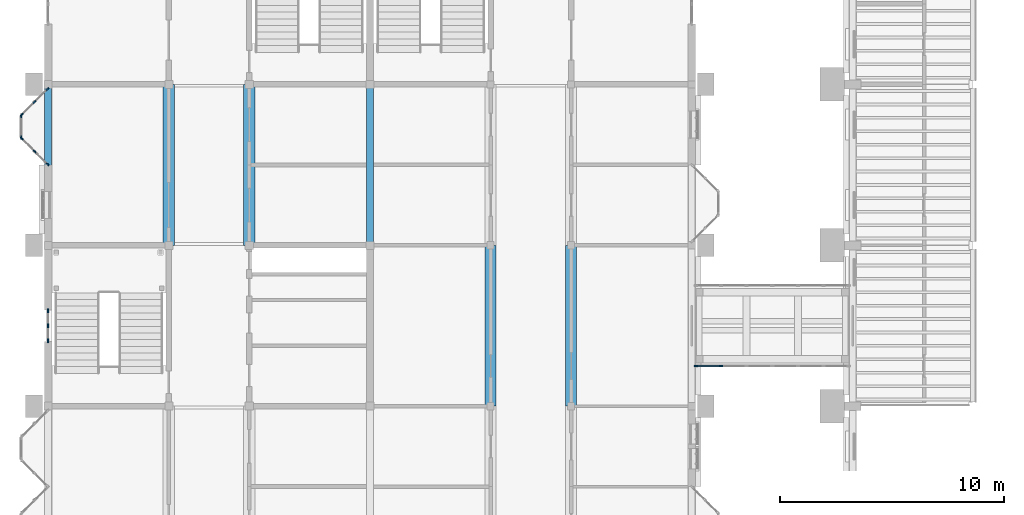
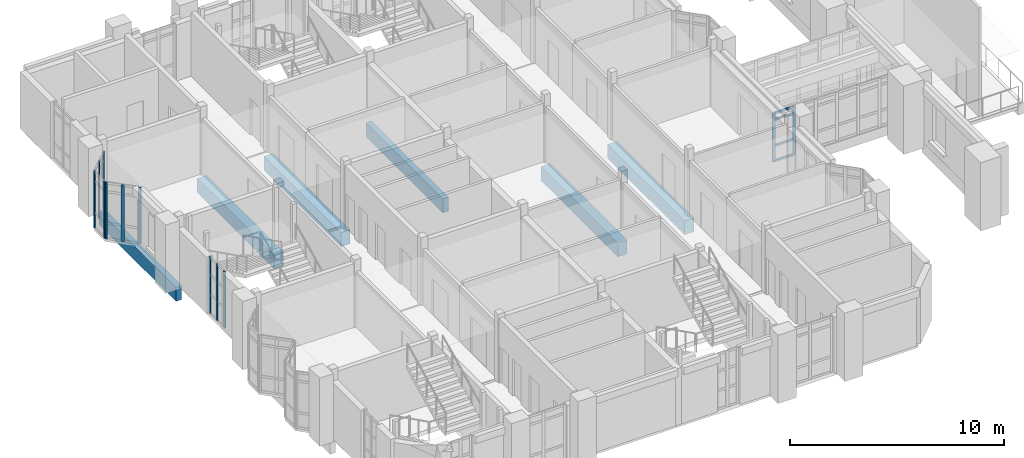
# One storey, part 5 of 69: 17 members, 6 beams, 5 elements without a shape of their own.
"""IFC4 building model written with IfcOpenShell, lengths in metres."""

from ifc_helpers import new_model, si_unit, direction, frame, origin, origin_2d, place, context, subcontext, project, spatial, rectangle, extrude, material, layer, layer_set, material_profile, profile_set, type_object, element, aggregate, save


model = new_model("IFC4")

# Units and contexts
model_context = context("Model", 3, precision=1e-05, world=origin(), true_north=direction((0.0, 1.0)))
body_context = subcontext(model_context, "Body", "Model", "MODEL_VIEW")
ifc_project = project(units=[si_unit("LENGTHUNIT", "METRE"), si_unit("AREAUNIT", "SQUARE_METRE"), si_unit("VOLUMEUNIT", "CUBIC_METRE"), si_unit("PLANEANGLEUNIT", "RADIAN"), si_unit("MASSUNIT", "GRAM", prefix="KILO")], contexts=[model_context])

# Site, building, storey
site_placement = place(None, origin())
site = spatial("IfcSite", under=ifc_project, at=site_placement, CompositionType="ELEMENT")
building_placement = place(site_placement, origin())
building = spatial("IfcBuilding", under=site, at=building_placement, Name="Mazhai Court Health Centre", CompositionType="ELEMENT")
storey_placement = place(building_placement, frame((0.0, 0.0, 6.300048828125)))
storey = spatial("IfcBuildingStorey", under=building, at=storey_placement, Name="L01", CompositionType="ELEMENT", Elevation=6.300048828125)

# Curtain wall, members
ifc_material_1 = material(Name="Teak timber frame, glazed", Category="wood")
ifc_layer_1 = layer(ifc_material_1, 0.10009765625)
ifc_layer_set_1 = layer_set([ifc_layer_1], Name="CURTAIN WALL TIMBER 600")
curtain_wall_type_1 = type_object("IfcCurtainWallType", Name="CURTAIN WALL TIMBER 600", PredefinedType="NOTDEFINED", material=ifc_layer_set_1)
curtain_wall_1_placement = place(storey_placement, origin())
curtain_wall_1 = element("IfcCurtainWall", 1, at=curtain_wall_1_placement, inside=storey, type_object=curtain_wall_type_1, Name="CW-V2-L01-A2", PredefinedType="NOTDEFINED")
ifc_material_2 = material(Name="Teak timber", Category="wood")
ifc_material_profile_1 = material_profile(ifc_material_2, rectangle(XDim=0.06005859375, YDim=0.159912109375, at=origin_2d()), Name="CW MULLION 60x160")
ifc_profile_set_1 = profile_set([ifc_material_profile_1], Name="Teak timber")
member_type_1 = type_object("IfcMemberType", Name="CW MULLION 60x160", PredefinedType="MULLION", material=ifc_profile_set_1)
member_1_placement = place(storey_placement, frame((6.199951171875, 23.530029296875, 0.0), z_axis=(0.0, 0.0, 1.0), x_axis=(-1.0, 0.0, 0.0)))
member_1 = element("IfcMember", 2, at=member_1_placement, type_object=member_type_1, Name="CW mullion 1", PredefinedType="MULLION", context=body_context, shape_type="SweptSolid", body=[
    extrude(rectangle(XDim=0.06005859375, YDim=0.159912109375, at=origin_2d()), origin(), (0.0, 0.0, 1.0), 3.219970703125),
])
member_2_placement = place(storey_placement, frame((6.199951171875, 24.199951171875, 0.0), z_axis=(0.0, 0.0, 1.0), x_axis=(-1.0, 0.0, 0.0)))
member_2 = element("IfcMember", 3, at=member_2_placement, type_object=member_type_1, Name="CW mullion 2", PredefinedType="MULLION", context=body_context, shape_type="SweptSolid", body=[
    extrude(rectangle(XDim=0.06005859375, YDim=0.159912109375, at=origin_2d()), origin(), (0.0, 0.0, 1.0), 3.219970703125),
])
member_3_placement = place(storey_placement, frame((6.199951171875, 24.8701171875, 0.0), z_axis=(0.0, 0.0, 1.0), x_axis=(-1.0, 0.0, 0.0)))
member_3 = element("IfcMember", 4, at=member_3_placement, type_object=member_type_1, Name="CW mullion 3", PredefinedType="MULLION", context=body_context, shape_type="SweptSolid", body=[
    extrude(rectangle(XDim=0.06005859375, YDim=0.159912109375, at=origin_2d()), origin(), (0.0, 0.0, 1.0), 3.219970703125),
])
aggregate(curtain_wall_1, [member_1, member_2, member_3])

ifc_material_3 = material(Name="Teak timber frame, glazed", Category="wood")
ifc_layer_2 = layer(ifc_material_3, 0.10009765625)
ifc_layer_set_2 = layer_set([ifc_layer_2], Name="CURTAIN WALL TIMBER 900")
curtain_wall_type_2 = type_object("IfcCurtainWallType", Name="CURTAIN WALL TIMBER 900", PredefinedType="NOTDEFINED", material=ifc_layer_set_2)
curtain_wall_2_placement = place(storey_placement, origin())
curtain_wall_2 = element("IfcCurtainWall", 5, at=curtain_wall_2_placement, inside=storey, type_object=curtain_wall_type_2, Name="CW-ORIEL-V2-L01-A31-0", PredefinedType="NOTDEFINED")
member_4_placement = place(storey_placement, frame((6.1787109375, 31.421142578125, 0.0), z_axis=(0.0, 0.0, 1.0), x_axis=(-0.707106781187, -0.707106781187, 0.0)))
member_4 = element("IfcMember", 6, at=member_4_placement, type_object=member_type_1, Name="CW mullion 1", PredefinedType="MULLION", context=body_context, shape_type="SweptSolid", body=[
    extrude(rectangle(XDim=0.06005859375, YDim=0.159912109375, at=origin_2d()), origin(), (0.0, 0.0, 1.0), 3.219970703125),
])
member_5_placement = place(storey_placement, frame((5.60009765625, 32.0, 0.0), z_axis=(0.0, 0.0, 1.0), x_axis=(-0.707106781187, -0.707106781187, 0.0)))
member_5 = element("IfcMember", 7, at=member_5_placement, type_object=member_type_1, Name="CW mullion 2", PredefinedType="MULLION", context=body_context, shape_type="SweptSolid", body=[
    extrude(rectangle(XDim=0.06005859375, YDim=0.159912109375, at=origin_2d()), origin(), (0.0, 0.0, 1.0), 3.219970703125),
])
member_6_placement = place(storey_placement, frame((5.021240234375, 32.578857421875, 0.0), z_axis=(0.0, 0.0, 1.0), x_axis=(-0.707106781187, -0.707106781187, 0.0)))
member_6 = element("IfcMember", 8, at=member_6_placement, type_object=member_type_1, Name="CW mullion 3", PredefinedType="MULLION", context=body_context, shape_type="SweptSolid", body=[
    extrude(rectangle(XDim=0.06005859375, YDim=0.159912109375, at=origin_2d()), origin(), (0.0, 0.0, 1.0), 3.219970703125),
])
aggregate(curtain_wall_2, [member_4, member_5, member_6])

curtain_wall_3_placement = place(storey_placement, origin())
curtain_wall_3 = element("IfcCurtainWall", 9, at=curtain_wall_3_placement, inside=storey, type_object=curtain_wall_type_2, Name="CW-ORIEL-V2-L01-A31-1", PredefinedType="NOTDEFINED")
member_7_placement = place(storey_placement, frame((5.0, 32.6298828125, 0.0), z_axis=(0.0, 0.0, 1.0), x_axis=(-1.0, 0.0, 0.0)))
member_7 = element("IfcMember", 10, at=member_7_placement, type_object=member_type_1, Name="CW mullion 1", PredefinedType="MULLION", context=body_context, shape_type="SweptSolid", body=[
    extrude(rectangle(XDim=0.06005859375, YDim=0.159912109375, at=origin_2d()), origin(), (0.0, 0.0, 1.0), 3.219970703125),
])
member_8_placement = place(storey_placement, frame((5.0, 33.590087890625, 0.0), z_axis=(0.0, 0.0, 1.0), x_axis=(-1.0, 0.0, 0.0)))
member_8 = element("IfcMember", 11, at=member_8_placement, type_object=member_type_1, Name="CW mullion 2", PredefinedType="MULLION", context=body_context, shape_type="SweptSolid", body=[
    extrude(rectangle(XDim=0.06005859375, YDim=0.159912109375, at=origin_2d()), origin(), (0.0, 0.0, 1.0), 3.219970703125),
])
aggregate(curtain_wall_3, [member_7, member_8])

curtain_wall_4_placement = place(storey_placement, origin())
curtain_wall_4 = element("IfcCurtainWall", 12, at=curtain_wall_4_placement, inside=storey, type_object=curtain_wall_type_2, Name="CW-ORIEL-V2-L01-A31-2", PredefinedType="NOTDEFINED")
member_9_placement = place(storey_placement, frame((5.021240234375, 33.64111328125, 0.0), z_axis=(0.0, 0.0, 1.0), x_axis=(-0.707106781187, 0.707106781187, 0.0)))
member_9 = element("IfcMember", 13, at=member_9_placement, type_object=member_type_1, Name="CW mullion 1", PredefinedType="MULLION", context=body_context, shape_type="SweptSolid", body=[
    extrude(rectangle(XDim=0.06005859375, YDim=0.159912109375, at=origin_2d()), origin(), (0.0, 0.0, 1.0), 3.219970703125),
])
member_10_placement = place(storey_placement, frame((5.60009765625, 34.219970703125, 0.0), z_axis=(0.0, 0.0, 1.0), x_axis=(-0.707106781187, 0.707106781187, 0.0)))
member_10 = element("IfcMember", 14, at=member_10_placement, type_object=member_type_1, Name="CW mullion 2", PredefinedType="MULLION", context=body_context, shape_type="SweptSolid", body=[
    extrude(rectangle(XDim=0.06005859375, YDim=0.159912109375, at=origin_2d()), origin(), (0.0, 0.0, 1.0), 3.219970703125),
])
member_11_placement = place(storey_placement, frame((6.1787109375, 34.798828125, 0.0), z_axis=(0.0, 0.0, 1.0), x_axis=(-0.707106781187, 0.707106781187, 0.0)))
member_11 = element("IfcMember", 15, at=member_11_placement, type_object=member_type_1, Name="CW mullion 3", PredefinedType="MULLION", context=body_context, shape_type="SweptSolid", body=[
    extrude(rectangle(XDim=0.06005859375, YDim=0.159912109375, at=origin_2d()), origin(), (0.0, 0.0, 1.0), 3.219970703125),
])
aggregate(curtain_wall_4, [member_9, member_10, member_11])

ifc_material_4 = material(Name="Teak timber frame, glazed", Category="wood")
ifc_layer_3 = layer(ifc_material_4, 0.10009765625)
ifc_layer_set_3 = layer_set([ifc_layer_3], Name="CURTAIN WALL TIMBER 1200")
curtain_wall_type_3 = type_object("IfcCurtainWallType", Name="CURTAIN WALL TIMBER 1200", PredefinedType="NOTDEFINED", material=ifc_layer_set_3)
curtain_wall_5_placement = place(storey_placement, origin())
curtain_wall_5 = element("IfcCurtainWall", 16, at=curtain_wall_5_placement, inside=storey, type_object=curtain_wall_type_3, Name="CW-BR-P1-S", PredefinedType="NOTDEFINED")
member_12_placement = place(storey_placement, frame((35.195068359375, 22.39990234375, 0.0), z_axis=(0.0, 0.0, 1.0), x_axis=(0.0, 1.0, 0.0)))
member_12 = element("IfcMember", 17, at=member_12_placement, type_object=member_type_1, Name="CW mullion 1", PredefinedType="MULLION", context=body_context, shape_type="SweptSolid", body=[
    extrude(rectangle(XDim=0.06005859375, YDim=0.159912109375, at=origin_2d()), origin(), (0.0, 0.0, 1.0), 2.780029296875),
])
member_13_placement = place(storey_placement, frame((36.31005859375, 22.39990234375, 0.0), z_axis=(0.0, 0.0, 1.0), x_axis=(0.0, 1.0, 0.0)))
member_13 = element("IfcMember", 18, at=member_13_placement, type_object=member_type_1, Name="CW mullion 2", PredefinedType="MULLION", context=body_context, shape_type="SweptSolid", body=[
    extrude(rectangle(XDim=0.06005859375, YDim=0.159912109375, at=origin_2d()), origin(), (0.0, 0.0, 1.0), 2.780029296875),
])
ifc_material_5 = material(Name="Teak timber", Category="wood")
ifc_material_profile_2 = material_profile(ifc_material_5, rectangle(XDim=0.06005859375, YDim=0.1201171875, at=origin_2d()), Name="CW TRANSOM 60x120")
ifc_profile_set_2 = profile_set([ifc_material_profile_2], Name="Teak timber")
member_type_2 = type_object("IfcMemberType", Name="CW TRANSOM 60x120", PredefinedType="USERDEFINED", material=ifc_profile_set_2)
member_14_placement = place(storey_placement, frame((35.22509765625, 22.39990234375, 0.030029296875), z_axis=(1.0, 0.0, 0.0), x_axis=(0.0, 1.0, 0.0)))
member_14 = element("IfcMember", 19, at=member_14_placement, type_object=member_type_2, Name="CW transom 1.1", ObjectType="TRANSOM", PredefinedType="USERDEFINED", context=body_context, shape_type="SweptSolid", body=[
    extrude(rectangle(XDim=0.06005859375, YDim=0.1201171875, at=origin_2d()), origin(), (0.0, 0.0, 1.0), 1.054931640625),
])
member_15_placement = place(storey_placement, frame((35.22509765625, 22.39990234375, 0.89990234375), z_axis=(1.0, 0.0, 0.0), x_axis=(0.0, 1.0, 0.0)))
member_15 = element("IfcMember", 20, at=member_15_placement, type_object=member_type_2, Name="CW transom 1.2", ObjectType="TRANSOM", PredefinedType="USERDEFINED", context=body_context, shape_type="SweptSolid", body=[
    extrude(rectangle(XDim=0.06005859375, YDim=0.1201171875, at=origin_2d()), origin(), (0.0, 0.0, 1.0), 1.054931640625),
])
member_16_placement = place(storey_placement, frame((35.22509765625, 22.39990234375, 2.3798828125), z_axis=(1.0, 0.0, 0.0), x_axis=(0.0, 1.0, 0.0)))
member_16 = element("IfcMember", 21, at=member_16_placement, type_object=member_type_2, Name="CW transom 1.3", ObjectType="TRANSOM", PredefinedType="USERDEFINED", context=body_context, shape_type="SweptSolid", body=[
    extrude(rectangle(XDim=0.06005859375, YDim=0.1201171875, at=origin_2d()), origin(), (0.0, 0.0, 1.0), 1.054931640625),
])
member_17_placement = place(storey_placement, frame((35.22509765625, 22.39990234375, 2.75), z_axis=(1.0, 0.0, 0.0), x_axis=(0.0, 1.0, 0.0)))
member_17 = element("IfcMember", 22, at=member_17_placement, type_object=member_type_2, Name="CW transom 1.4", ObjectType="TRANSOM", PredefinedType="USERDEFINED", context=body_context, shape_type="SweptSolid", body=[
    extrude(rectangle(XDim=0.06005859375, YDim=0.1201171875, at=origin_2d()), origin(), (0.0, 0.0, 1.0), 1.054931640625),
])
aggregate(curtain_wall_5, [member_12, member_13, member_14, member_15, member_16, member_17])

# Beams
ifc_material_6 = material(Name="Concrete M40", Category="concrete")
ifc_material_profile_3 = material_profile(ifc_material_6, rectangle(XDim=0.300048828125, YDim=0.800048828125, at=origin_2d()), Name="RC 300x800")
ifc_profile_set_3 = profile_set([ifc_material_profile_3], Name="Concrete M40")
beam_type_1 = type_object("IfcBeamType", Name="RC BEAM 300x800 M40", PredefinedType="BEAM", material=ifc_profile_set_3)
for number, where, z_axis, x_axis, name in (
    (23, (6.199951171875, 27.800048828125, -0.650146484375), (0.0, 1.0, 0.0), (-1.0, 0.0, 0.0), "beam-V2-L01-6.2-27.8-6.2-35"),
    (24, (20.60009765625, 27.800048828125, -0.650146484375), (0.0, 1.0, 0.0), (-1.0, 0.0, 0.0), "beam-V2-L01-20.6-27.8-20.6-35"),
):
    element("IfcBeam", number, at=place(storey_placement, frame(where, z_axis=z_axis, x_axis=x_axis)), inside=storey, type_object=beam_type_1, Name=name, PredefinedType="BEAM", context=body_context, shape_type="SweptSolid", body=[
        extrude(rectangle(XDim=0.300048828125, YDim=0.800048828125, at=origin_2d()), origin(), (0.0, 0.0, 1.0), 7.199951171875),
    ])
ifc_material_7 = material(Name="Concrete M40", Category="concrete")
ifc_material_profile_4 = material_profile(ifc_material_7, rectangle(XDim=0.5, YDim=0.800048828125, at=origin_2d()), Name="RC 500x800")
ifc_profile_set_4 = profile_set([ifc_material_profile_4], Name="Concrete M40")
beam_type_2 = type_object("IfcBeamType", Name="RC BEAM 500x800 M40", PredefinedType="BEAM", material=ifc_profile_set_4)
for number, where, z_axis, x_axis, name in (
    (25, (11.60009765625, 27.800048828125, -0.650146484375), (0.0, 1.0, 0.0), (-1.0, 0.0, 0.0), "beam-V2-L01-11.6-27.8-11.6-35"),
    (26, (15.199951171875, 27.800048828125, -0.650146484375), (0.0, 1.0, 0.0), (-1.0, 0.0, 0.0), "beam-V2-L01-15.2-27.8-15.2-35"),
    (27, (26.0, 20.60009765625, -0.650146484375), (0.0, 1.0, 0.0), (-1.0, 0.0, 0.0), "beam-V5-L01-26-20.6-26-27.8"),
    (28, (29.60009765625, 20.60009765625, -0.650146484375), (0.0, 1.0, 0.0), (-1.0, 0.0, 0.0), "beam-V5-L01-29.6-20.6-29.6-27.8"),
):
    element("IfcBeam", number, at=place(storey_placement, frame(where, z_axis=z_axis, x_axis=x_axis)), inside=storey, type_object=beam_type_2, Name=name, PredefinedType="BEAM", context=body_context, shape_type="SweptSolid", body=[
        extrude(rectangle(XDim=0.5, YDim=0.800048828125, at=origin_2d()), origin(), (0.0, 0.0, 1.0), 7.199951171875),
    ])

save(model, "model.ifc")
